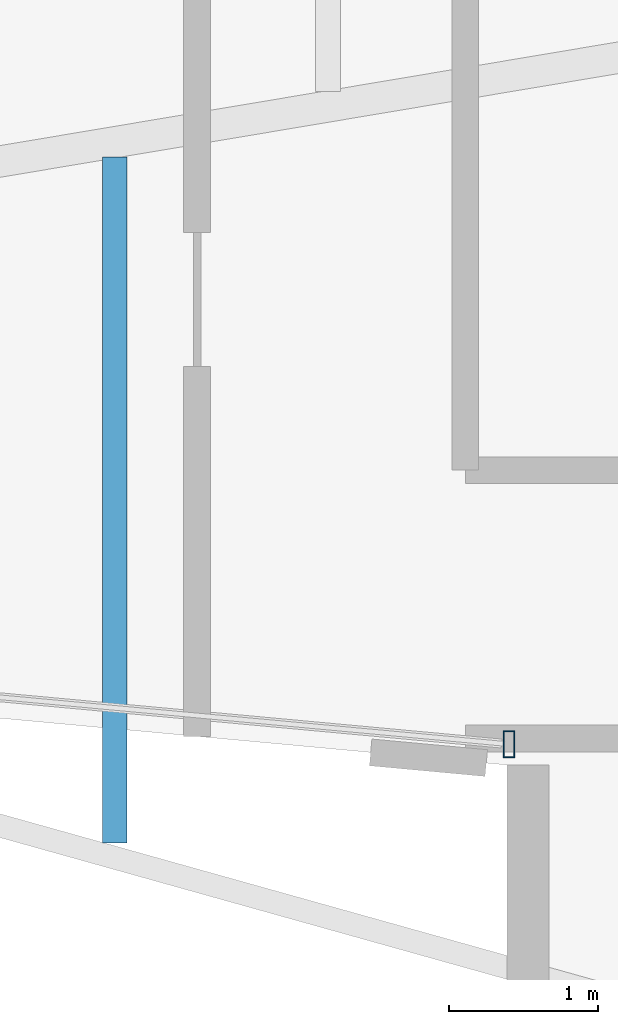
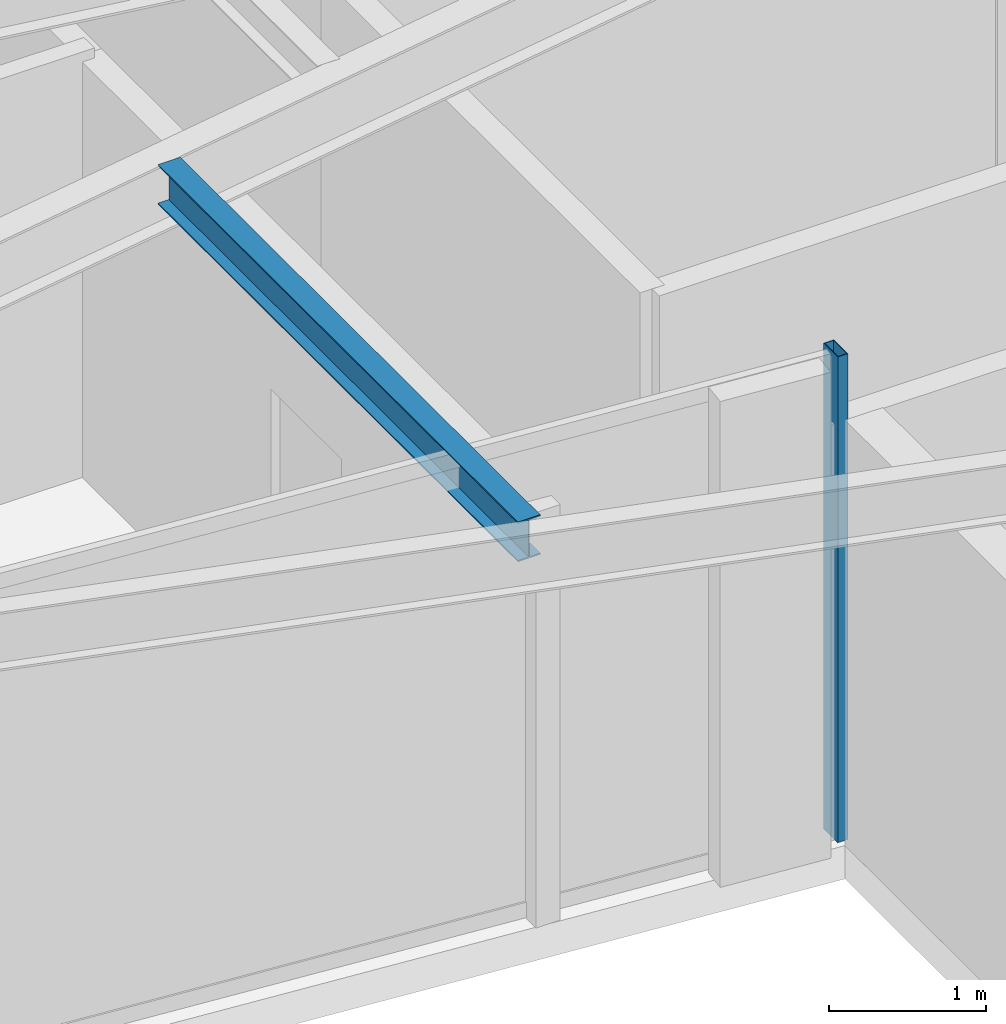
# One storey, part 4 of 22: 1 beam, 1 member, 1 element without a shape of its own.
"""IFC4 building model written with IfcOpenShell, lengths in metres."""

from ifc_helpers import new_model, si_unit, direction, frame, origin, origin_2d, place, context, subcontext, project, spatial, hollow_rectangle, i_section, extrude, material, layer, layer_set, material_profile, profile_set, type_object, element, aggregate, save


model = new_model("IFC4")

# Units and contexts
model_context = context("Model", 3, precision=1e-05, world=origin(), true_north=direction((0.0, 1.0)))
body_context = subcontext(model_context, "Body", "Model", "MODEL_VIEW")
ifc_project = project(units=[si_unit("LENGTHUNIT", "METRE"), si_unit("AREAUNIT", "SQUARE_METRE"), si_unit("VOLUMEUNIT", "CUBIC_METRE"), si_unit("PLANEANGLEUNIT", "RADIAN"), si_unit("MASSUNIT", "GRAM", prefix="KILO")], contexts=[model_context])

# Site, building, storey
site_placement = place(None, origin())
site = spatial("IfcSite", under=ifc_project, at=site_placement, CompositionType="ELEMENT")
building_placement = place(site_placement, origin())
building = spatial("IfcBuilding", under=site, at=building_placement, Name="Veymaron Broadcast Tower", CompositionType="ELEMENT")
storey_placement = place(building_placement, frame((0.0, 0.0, 208.050048828125)))
storey = spatial("IfcBuildingStorey", under=building, at=storey_placement, Name="L48", CompositionType="ELEMENT", Elevation=208.050048828125)

# Beam
ifc_material_1 = material(Name="Structural steel ASTM A992 Gr 50", Category="steel")
ifc_material_profile_1 = material_profile(ifc_material_1, i_section(OverallWidth=0.1650390625, OverallDepth=0.31005859375, WebThickness=0.005859375, FlangeThickness=0.009765625, at=origin_2d()), Name="W310X39")
ifc_profile_set_1 = profile_set([ifc_material_profile_1], Name="Structural steel ASTM A992 Gr 50")
beam_type = type_object("IfcBeamType", Name="BM-JS3", PredefinedType="JOIST", material=ifc_profile_set_1)
beam_placement = place(storey_placement, frame((24.048095703125, 18.10009765625, 3.635009765625), z_axis=(0.0, 1.0, 0.0), x_axis=(-1.0, 0.0, 0.0)))
element("IfcBeam", 1, at=beam_placement, inside=storey, type_object=beam_type, Name="L48 Arm-A secondary joist 2S", PredefinedType="JOIST", context=body_context, shape_type="SweptSolid", body=[
    extrude(i_section(OverallWidth=0.1650390625, OverallDepth=0.31005859375, WebThickness=0.005859375, FlangeThickness=0.009765625, at=origin_2d()), origin(), (0.0, 0.0, 1.0), 4.599853515625),
])

# Curtain wall, member
ifc_material_2 = material(Name="Anodised aluminium AA 6063-T6 and laminated low-E dark glass", Category="aluminium")
ifc_layer = layer(ifc_material_2, 0.179931640625)
ifc_layer_set = layer_set([ifc_layer], Name="Anodised aluminium AA 6063-T6 and laminated low-E dark glass")
curtain_wall_type = type_object("IfcCurtainWallType", Name="CW-SYS-05", PredefinedType="NOTDEFINED", material=ifc_layer_set)
curtain_wall_placement = place(storey_placement, origin())
curtain_wall = element("IfcCurtainWall", 2, at=curtain_wall_placement, inside=storey, type_object=curtain_wall_type, Name="L48 dark-glass curtain wall CW-L48-E14-1", PredefinedType="NOTDEFINED")
ifc_material_3 = material(Name="Anodised aluminium AA 6063-T6", Category="aluminium")
ifc_material_profile_2 = material_profile(ifc_material_3, hollow_rectangle(XDim=0.074951171875, YDim=0.179931640625, WallThickness=0.0048828125, at=origin_2d()), Name="AL180X75X5")
ifc_profile_set_2 = profile_set([ifc_material_profile_2], Name="Anodised aluminium AA 6063-T6")
member_type = type_object("IfcMemberType", Name="CW-MUL-02", PredefinedType="MULLION", material=ifc_profile_set_2)
member_placement = place(storey_placement, frame((26.69287109375, 18.76171875, 0.0), z_axis=(0.0, 0.0, 1.0), x_axis=(1.0, 0.0, 0.0)))
member = element("IfcMember", 3, at=member_placement, type_object=member_type, Name="CW-L48-E14-1 mullion 2", PredefinedType="MULLION", context=body_context, shape_type="SweptSolid", body=[
    extrude(hollow_rectangle(XDim=0.074951171875, YDim=0.179931640625, WallThickness=0.0048828125, at=origin_2d()), origin(), (0.0, 0.0, 1.0), 3.7900390625),
])
aggregate(curtain_wall, [member])

save(model, "model.ifc")
